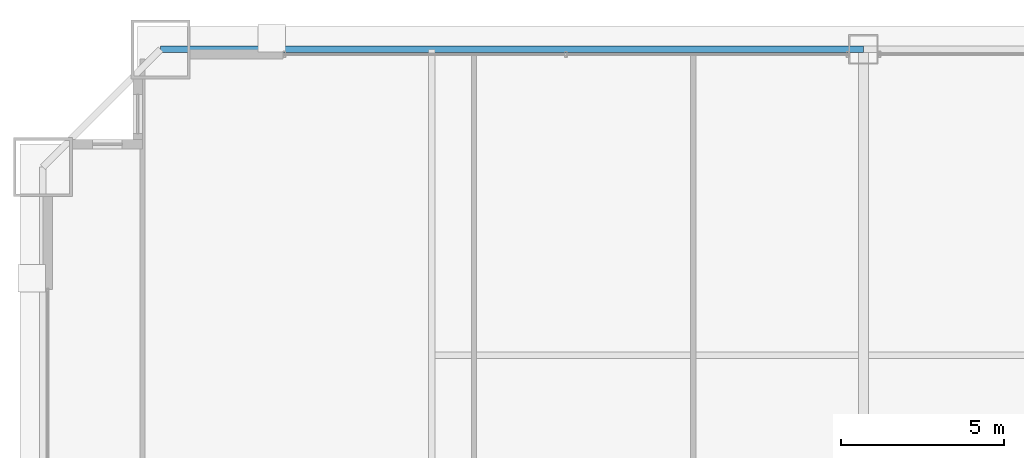
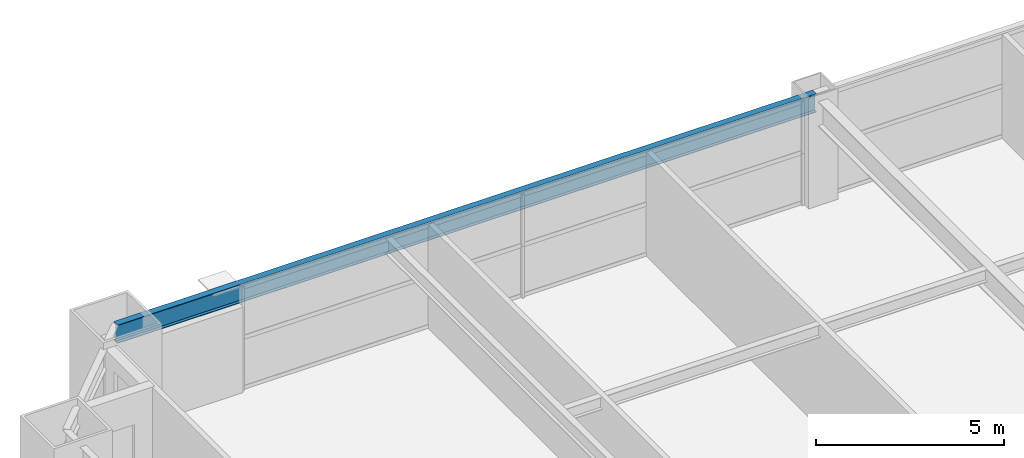
# One storey, part 27 of 43: 1 beam.
"""IFC4 building model written with IfcOpenShell, lengths in metres."""

from ifc_helpers import new_model, si_unit, direction, frame, origin, origin_2d, place, context, subcontext, project, spatial, i_section, extrude, source, transform, mapped, material, material_profile, profile_set, type_object, element, save


model = new_model("IFC4")

# Units and contexts
model_context = context("Model", 3, precision=1e-05, world=origin(), true_north=direction((0.0, 1.0)))
body_context = subcontext(model_context, "Body", "Model", "MODEL_VIEW")
ifc_project = project(units=[si_unit("LENGTHUNIT", "METRE"), si_unit("AREAUNIT", "SQUARE_METRE"), si_unit("VOLUMEUNIT", "CUBIC_METRE"), si_unit("PLANEANGLEUNIT", "RADIAN"), si_unit("MASSUNIT", "GRAM", prefix="KILO"), si_unit("THERMODYNAMICTEMPERATUREUNIT", "KELVIN"), si_unit("POWERUNIT", "WATT")], contexts=[model_context])

# Site, building, storey
site_placement = place(None, origin())
site = spatial("IfcSite", under=ifc_project, at=site_placement, CompositionType="ELEMENT")
building_placement = place(site_placement, origin())
building = spatial("IfcBuilding", under=site, at=building_placement, Name="Yuzanri Waterfront Tower", CompositionType="ELEMENT")
storey_placement = place(building_placement, frame((0.0, 0.0, 64.0)))
storey = spatial("IfcBuildingStorey", under=building, at=storey_placement, Name="L16", CompositionType="ELEMENT", Elevation=64.0)

# Beam
ifc_material = material(Name="Steel Q355B", Category="steel")
ifc_material_profile = material_profile(ifc_material, i_section(OverallWidth=0.199951171875, OverallDepth=0.60009765625, WebThickness=0.010986328125, FlangeThickness=0.01708984375, at=origin_2d()), Name="HN 600x200x11x17")
ifc_profile_set = profile_set([ifc_material_profile], Name="Steel Q355B")
beam_type = type_object("IfcBeamType", Name="Perimeter Spandrel Q355B HN 600x200", PredefinedType="SPANDREL", material=ifc_profile_set)
shared_shape = source(origin(), body_context, "Body", "SweptSolid", [
    extrude(i_section(OverallWidth=0.199951171875, OverallDepth=0.60009765625, WebThickness=0.010986328125, FlangeThickness=0.01708984375, at=origin_2d()), origin(), (0.0, 0.0, 1.0), 21.5),
])
beam_placement = place(storey_placement, frame((37.0, 50.89990234375, 3.080078125), z_axis=(-1.0, 0.0, 0.0), x_axis=(0.0, -1.0, 0.0)))
element("IfcBeam", 1, at=beam_placement, inside=storey, type_object=beam_type, Name="L16 Perimeter Spandrel N2-N1", PredefinedType="SPANDREL", context=body_context, shape_type="MappedRepresentation", body=[
    mapped(shared_shape, transform((0.0, 0.0, 0.0), scale=1.0)),
])

save(model, "model.ifc")
